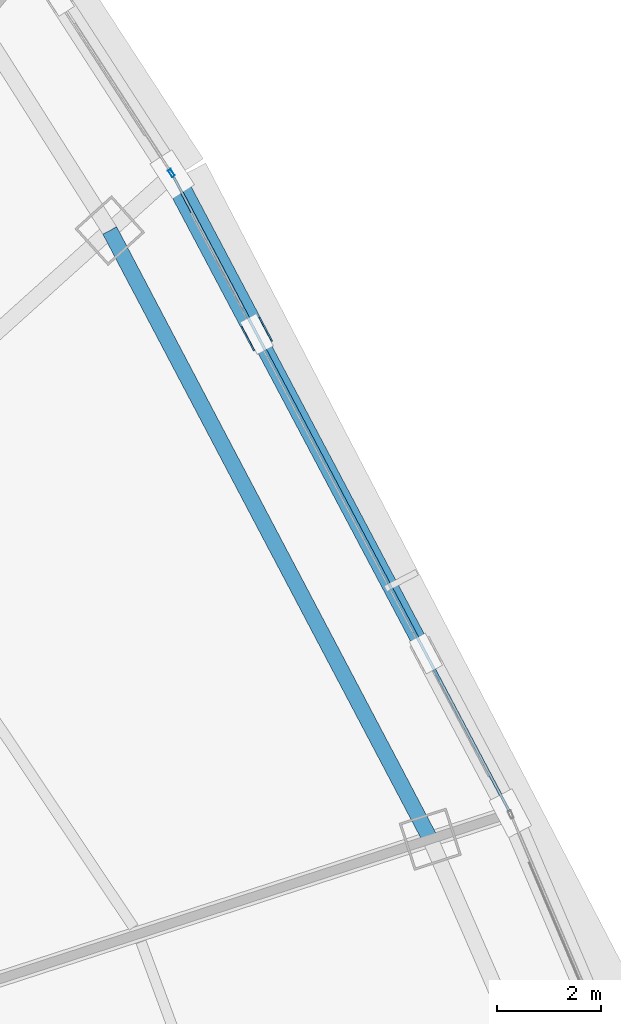
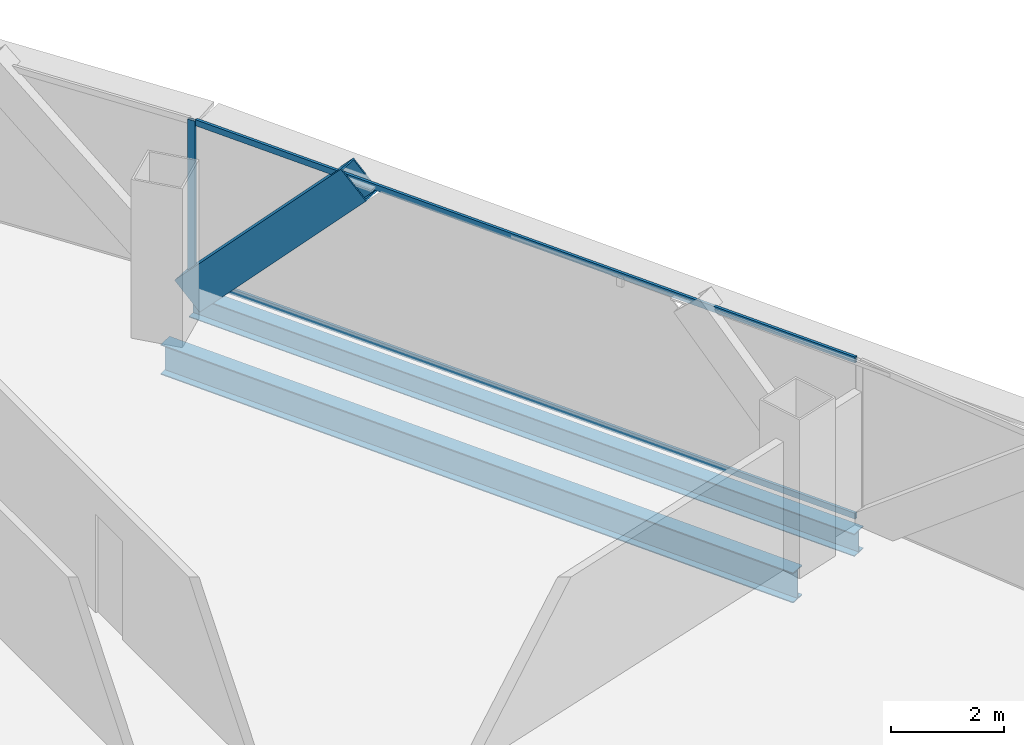
# One storey, part 27 of 39: 4 members, 2 beams, 2 elements without a shape of their own.
"""IFC4 building model written with IfcOpenShell, lengths in metres."""

from ifc_helpers import new_model, si_unit, direction, frame, origin, origin_2d, place, context, subcontext, project, spatial, hollow_rectangle, i_section, extrude, source, transform, mapped, material, layer, layer_set, material_profile, profile_set, type_object, element, aggregate, save


model = new_model("IFC4")

# Units and contexts
model_context = context("Model", 3, precision=1e-05, world=origin(), true_north=direction((0.0, 1.0)))
body_context = subcontext(model_context, "Body", "Model", "MODEL_VIEW")
ifc_project = project(units=[si_unit("LENGTHUNIT", "METRE"), si_unit("AREAUNIT", "SQUARE_METRE"), si_unit("VOLUMEUNIT", "CUBIC_METRE"), si_unit("PLANEANGLEUNIT", "RADIAN"), si_unit("MASSUNIT", "GRAM", prefix="KILO"), si_unit("THERMODYNAMICTEMPERATUREUNIT", "KELVIN"), si_unit("POWERUNIT", "WATT")], contexts=[model_context])

# Site, building, storey
site_placement = place(None, origin())
site = spatial("IfcSite", under=ifc_project, at=site_placement, CompositionType="ELEMENT")
building_placement = place(site_placement, origin())
building = spatial("IfcBuilding", under=site, at=building_placement, Name="Yunzhuo Pagoda Commons", CompositionType="ELEMENT")
storey_placement = place(building_placement, frame((0.0, 0.0, 144.550048828125)))
storey = spatial("IfcBuildingStorey", under=building, at=storey_placement, Name="L36", CompositionType="ELEMENT", Elevation=144.550048828125)

# Beams
ifc_material_1 = material(Name="Structural steel Q355B", Category="steel")
ifc_material_profile_1 = material_profile(ifc_material_1, i_section(OverallWidth=0.300048828125, OverallDepth=0.64990234375, WebThickness=0.012939453125, FlangeThickness=0.02197265625, at=origin_2d()), Name="Structural steel Q355B")
ifc_profile_set_1 = profile_set([ifc_material_profile_1], Name="Structural steel Q355B")
beam_type_1 = type_object("IfcBeamType", Name="B-RG2 Beam HN 650x300x13x22", PredefinedType="BEAM", material=ifc_profile_set_1)
shared_shape_1 = source(origin(), body_context, "Body", "SweptSolid", [
    extrude(i_section(OverallWidth=0.300048828125, OverallDepth=0.64990234375, WebThickness=0.012939453125, FlangeThickness=0.02197265625, at=origin_2d()), origin(), (0.0, 0.0, 1.0), 13.198974609375),
])
beam_1_placement = place(storey_placement, frame((77.915283203125, 43.420166015625, -0.5849609375), z_axis=(-0.465885937554, 0.884844784801, 0.0), x_axis=(-0.884844784801, -0.465885937554, 0.0)))
element("IfcBeam", 1, at=beam_1_placement, inside=storey, type_object=beam_type_1, Name="L36 column-ring beam 6", PredefinedType="BEAM", context=body_context, shape_type="MappedRepresentation", body=[
    mapped(shared_shape_1, transform((0.0, 0.0, 0.0), scale=1.0)),
])
ifc_material_profile_2 = material_profile(ifc_material_1, i_section(OverallWidth=0.300048828125, OverallDepth=0.488037109375, WebThickness=0.010986328125, FlangeThickness=0.01806640625, at=origin_2d()), Name="Structural steel Q355B")
ifc_profile_set_2 = profile_set([ifc_material_profile_2], Name="Structural steel Q355B")
beam_type_2 = type_object("IfcBeamType", Name="B-SP1 Beam HM 488x300x11x18", PredefinedType="BEAM", material=ifc_profile_set_2)
shared_shape_2 = source(origin(), body_context, "Body", "SweptSolid", [
    extrude(i_section(OverallWidth=0.300048828125, OverallDepth=0.488037109375, WebThickness=0.010986328125, FlangeThickness=0.01806640625, at=origin_2d()), origin(), (0.0, 0.0, 1.0), 13.869384765625),
])
beam_2_placement = place(storey_placement, frame((79.45166015625, 43.91943359375, -0.504150390625), z_axis=(-0.467725147868, 0.883873965027, 0.0), x_axis=(-0.883873965027, -0.467725147868, 0.0)))
element("IfcBeam", 2, at=beam_2_placement, inside=storey, type_object=beam_type_2, Name="L36 facade edge spandrel beam F2.2", PredefinedType="BEAM", context=body_context, shape_type="MappedRepresentation", body=[
    mapped(shared_shape_2, transform((0.0, 0.0, 0.0), scale=1.0)),
])

# Member
ifc_material_2 = material(Name="Structural steel Q420B", Category="steel")
ifc_material_profile_3 = material_profile(ifc_material_2, hollow_rectangle(XDim=0.419921875, YDim=0.719970703125, WallThickness=0.028076171875, at=origin_2d()), Name="Structural steel Q420B")
ifc_profile_set_3 = profile_set([ifc_material_profile_3], Name="Structural steel Q420B")
member_type_1 = type_object("IfcMemberType", Name="M-DL1 Brace BOX 720x420x28", PredefinedType="BRACE", material=ifc_profile_set_3)
shared_shape_3 = source(origin(), body_context, "Body", "SweptSolid", [
    extrude(hollow_rectangle(XDim=0.419921875, YDim=0.719970703125, WallThickness=0.028076171875, at=origin_2d()), origin(), (0.0, 0.0, 1.0), 5.05615234375),
])
member_1_placement = place(storey_placement, frame((72.964599609375, 56.17822265625, -0.260009765625), z_axis=(0.320763482228, -0.606133372333, 0.727813934611), x_axis=(0.883866687787, 0.467738899623, 0.0)))
element("IfcMember", 3, at=member_1_placement, inside=storey, type_object=member_type_1, Name="L36 facade diamond brace F2.2R", PredefinedType="BRACE", context=body_context, shape_type="MappedRepresentation", body=[
    mapped(shared_shape_3, transform((0.0, 0.0, 0.0), scale=1.0)),
])

# Curtain wall, member
ifc_material_3 = material(Name="Anodized aluminium 6063-T6", Category="aluminium")
ifc_layer = layer(ifc_material_3, 0.14990234375)
ifc_layer_set = layer_set([ifc_layer], Name="Anodized aluminium 6063-T6")
curtain_wall_type = type_object("IfcCurtainWallType", Name="CW-MID Mid-Zone Ribbon Curtain Wall", PredefinedType="NOTDEFINED", material=ifc_layer_set)
curtain_wall_1_placement = place(storey_placement, origin())
curtain_wall_1 = element("IfcCurtainWall", 4, at=curtain_wall_1_placement, inside=storey, type_object=curtain_wall_type, Name="L36 curtain wall CW-L36-F2B4", PredefinedType="NOTDEFINED")
ifc_material_profile_4 = material_profile(ifc_material_3, hollow_rectangle(XDim=0.06005859375, YDim=0.14990234375, WallThickness=0.00390625, at=origin_2d()), Name="Anodized aluminium 6063-T6")
ifc_profile_set_4 = profile_set([ifc_material_profile_4], Name="Anodized aluminium 6063-T6")
member_type_2 = type_object("IfcMemberType", Name="CW-MID-M Mullion RHS 150x60x4", PredefinedType="MULLION", material=ifc_profile_set_4)
shared_shape_4 = source(origin(), body_context, "Body", "SweptSolid", [
    extrude(hollow_rectangle(XDim=0.06005859375, YDim=0.14990234375, WallThickness=0.00390625, at=origin_2d()), origin(), (0.0, 0.0, 1.0), 3.419921875),
])
member_2_placement = place(storey_placement, frame((72.948486328125, 56.203369140625, 0.0), z_axis=(0.0, 0.0, 1.0), x_axis=(-0.839320281383, -0.543637255216, 0.0)))
member_2 = element("IfcMember", 5, at=member_2_placement, type_object=member_type_2, Name="CW mullion 1", PredefinedType="MULLION", context=body_context, shape_type="MappedRepresentation", body=[
    mapped(shared_shape_4, transform((0.0, 0.0, 0.0), scale=1.0)),
])
aggregate(curtain_wall_1, [member_2])

# Curtain wall, members
curtain_wall_2_placement = place(storey_placement, origin())
curtain_wall_2 = element("IfcCurtainWall", 6, at=curtain_wall_2_placement, inside=storey, type_object=curtain_wall_type, Name="L36 curtain wall CW-L36-F2B3", PredefinedType="NOTDEFINED")
ifc_material_profile_5 = material_profile(ifc_material_3, hollow_rectangle(XDim=0.054931640625, YDim=0.1298828125, WallThickness=0.00341796875, at=origin_2d()), Name="Anodized aluminium 6063-T6")
ifc_profile_set_5 = profile_set([ifc_material_profile_5], Name="Anodized aluminium 6063-T6")
member_type_3 = type_object("IfcMemberType", Name="CW-MID-T Transom RHS 130x55x3.5", PredefinedType="USERDEFINED", material=ifc_profile_set_5)
shared_shape_5 = source(origin(), body_context, "Body", "SweptSolid", [
    extrude(hollow_rectangle(XDim=0.054931640625, YDim=0.1298828125, WallThickness=0.00341796875, at=origin_2d()), origin(), (0.0, 0.0, 1.0), 13.74951171875),
])
member_3_placement = place(storey_placement, frame((79.423583984375, 43.972412109375, 0.02734375), z_axis=(-0.467720466259, 0.883876442407, 0.0), x_axis=(-0.883876442407, -0.467720466259, 0.0)))
member_3 = element("IfcMember", 7, at=member_3_placement, type_object=member_type_3, Name="CW transom 1.1", ObjectType="TRANSOM", PredefinedType="USERDEFINED", context=body_context, shape_type="MappedRepresentation", body=[
    mapped(shared_shape_5, transform((0.0, 0.0, 0.0), scale=1.0)),
])
member_4_placement = place(storey_placement, frame((79.423583984375, 43.972412109375, 3.392333984375), z_axis=(-0.467720466259, 0.883876442407, 0.0), x_axis=(-0.883876442407, -0.467720466259, 0.0)))
member_4 = element("IfcMember", 8, at=member_4_placement, type_object=member_type_3, Name="CW transom 1.2", ObjectType="TRANSOM", PredefinedType="USERDEFINED", context=body_context, shape_type="MappedRepresentation", body=[
    mapped(shared_shape_5, transform((0.0, 0.0, 0.0), scale=1.0)),
])
aggregate(curtain_wall_2, [member_3, member_4])

save(model, "model.ifc")
